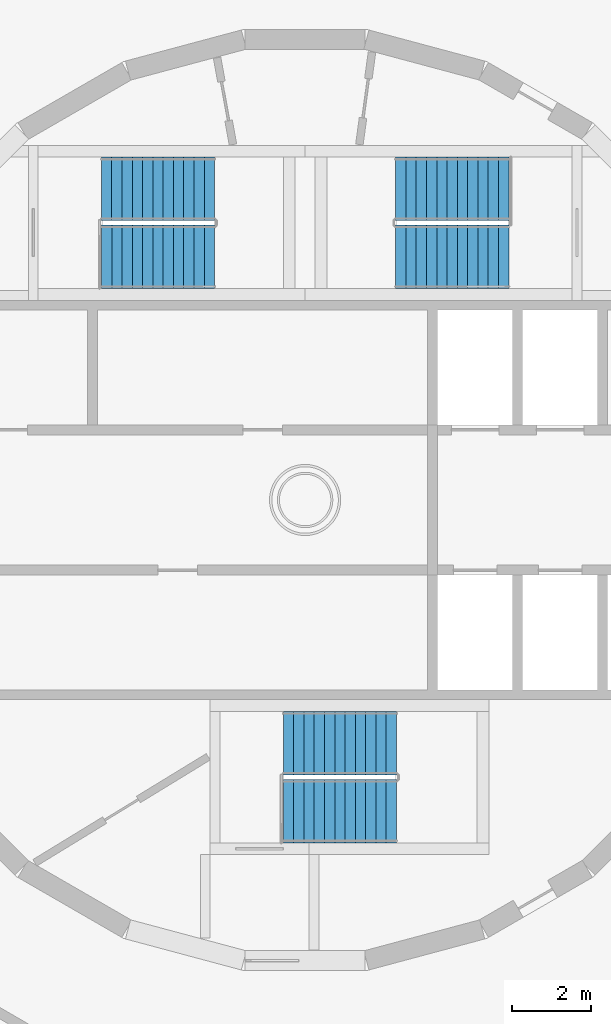
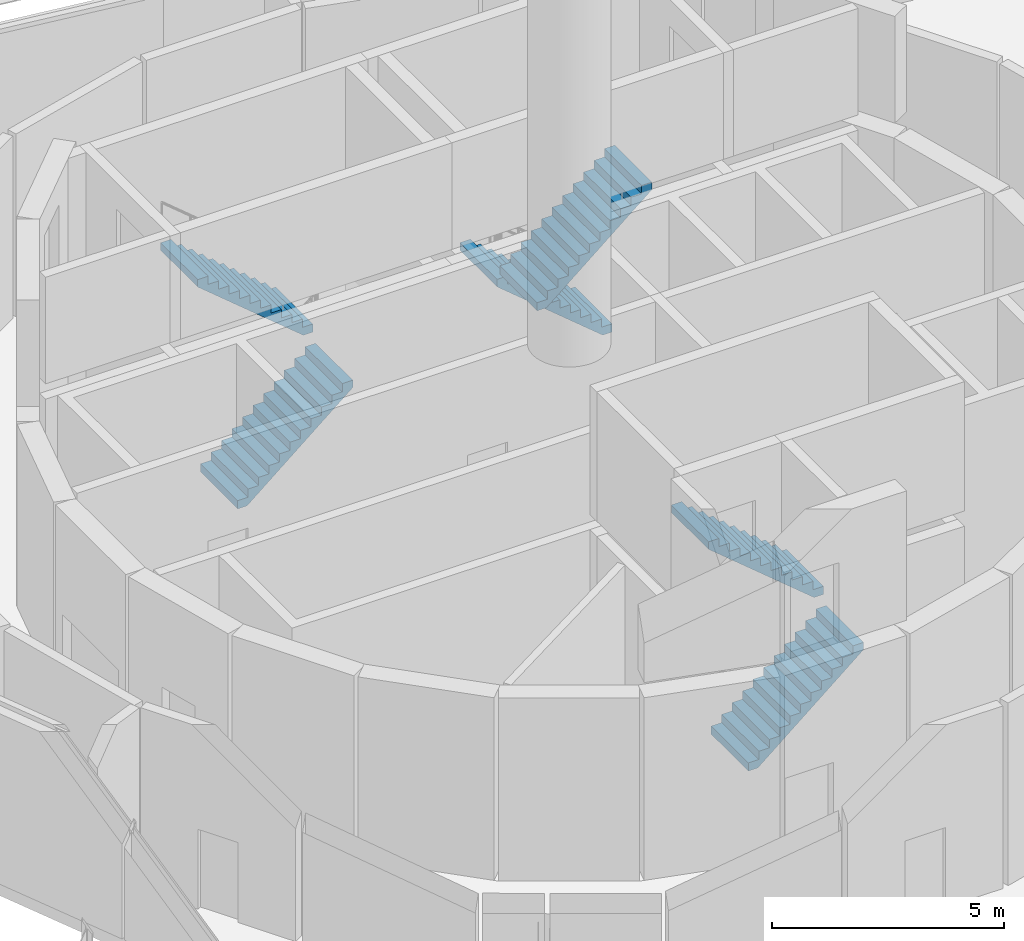
# One storey, part 13 of 15: 6 stair flights, 3 elements without a shape of their own.
"""IFC4 building model written with IfcOpenShell, lengths in metres."""

from ifc_helpers import new_model, si_unit, direction, frame, origin, place, context, subcontext, project, spatial, polyline, outline, extrude, material, type_object, element, aggregate, save


model = new_model("IFC4")

# Units and contexts
model_context = context("Model", 3, precision=1e-05, world=origin(), true_north=direction((0.0, 1.0)))
body_context = subcontext(model_context, "Body", "Model", "MODEL_VIEW")
ifc_project = project(units=[si_unit("LENGTHUNIT", "METRE"), si_unit("AREAUNIT", "SQUARE_METRE"), si_unit("VOLUMEUNIT", "CUBIC_METRE"), si_unit("PLANEANGLEUNIT", "RADIAN"), si_unit("MASSUNIT", "GRAM", prefix="KILO")], contexts=[model_context])

# Site, building, storey
site_placement = place(None, origin())
site = spatial("IfcSite", under=ifc_project, at=site_placement, CompositionType="ELEMENT")
building_placement = place(site_placement, origin())
building = spatial("IfcBuilding", under=site, at=building_placement, Name="Spindle Arch Residences", CompositionType="ELEMENT")
storey_placement = place(building_placement, frame((0.0, 0.0, 366.199951171875)))
storey = spatial("IfcBuildingStorey", under=building, at=storey_placement, Name="L94", CompositionType="ELEMENT", Elevation=366.199951171875)

# Stair, stair flights
ifc_material_1 = material(Name="Concrete C50/60", Category="concrete")
stair_type = type_object("IfcStairType", Name="Exit stair 24 risers", PredefinedType="HALF_TURN_STAIR", material=ifc_material_1)
stair_1_placement = place(storey_placement, origin())
stair_1 = element("IfcStair", 1, at=stair_1_placement, inside=storey, type_object=stair_type, Name="L94 Exit stair ST1", PredefinedType="HALF_TURN_STAIR")
ifc_material_2 = material(Name="Concrete C50/60", Category="concrete")
stair_flight_type = type_object("IfcStairFlightType", Name="Exit stair flight", PredefinedType="STRAIGHT", material=ifc_material_2)
stair_flight_1_placement = place(storey_placement, frame((5.14990234375, 7.8701171875, 0.0), z_axis=(0.0, 0.0, 1.0), x_axis=(-1.0, 0.0, 0.0)))
stair_flight_1 = element("IfcStairFlight", 2, at=stair_flight_1_placement, type_object=stair_flight_type, Name="ST1 flight 1", NumberOfRisers=12, NumberOfTreads=11, PredefinedType="STRAIGHT", RiserHeight=0.216666667, TreadLength=0.26, context=body_context, shape_type="SweptSolid", body=[
    extrude(outline(polyline([(0.0, 0.0), (0.0, 0.216552734375), (0.260009765625, 0.216552734375), (0.260009765625, 0.433349609375), (0.52001953125, 0.433349609375), (0.52001953125, 0.64990234375), (0.780029296875, 0.64990234375), (0.780029296875, 0.86669921875), (1.0400390625, 0.86669921875), (1.0400390625, 1.083251953125), (1.300048828125, 1.083251953125), (1.300048828125, 1.300048828125), (1.56005859375, 1.300048828125), (1.56005859375, 1.5166015625), (1.820068359375, 1.5166015625), (1.820068359375, 1.7333984375), (2.080078125, 1.7333984375), (2.080078125, 1.949951171875), (2.340087890625, 1.949951171875), (2.340087890625, 2.166748046875), (2.60009765625, 2.166748046875), (2.60009765625, 2.38330078125), (2.860107421875, 2.38330078125), (2.860107421875, 2.60009765625), (2.860107421875, 2.188232421875), (0.234130859375, 0.0), (0.0, 0.0)])), frame((0.0, 0.800048828125, 0.0), z_axis=(0.0, -1.0, 0.0), x_axis=(1.0, 0.0, 0.0)), (0.0, 0.0, 1.0), 1.60009765625),
])
stair_flight_2_placement = place(storey_placement, frame((2.2900390625, 6.14990234375, 2.60009765625), z_axis=(0.0, 0.0, 1.0), x_axis=(1.0, 0.0, 0.0)))
stair_flight_2 = element("IfcStairFlight", 3, at=stair_flight_2_placement, type_object=stair_flight_type, Name="ST1 flight 2", NumberOfRisers=12, NumberOfTreads=11, PredefinedType="STRAIGHT", RiserHeight=0.216666667, TreadLength=0.26, context=body_context, shape_type="SweptSolid", body=[
    extrude(outline(polyline([(0.0, 0.0), (0.0, 0.216552734375), (0.260009765625, 0.216552734375), (0.260009765625, 0.433349609375), (0.52001953125, 0.433349609375), (0.52001953125, 0.64990234375), (0.780029296875, 0.64990234375), (0.780029296875, 0.86669921875), (1.0400390625, 0.86669921875), (1.0400390625, 1.083251953125), (1.300048828125, 1.083251953125), (1.300048828125, 1.300048828125), (1.56005859375, 1.300048828125), (1.56005859375, 1.5166015625), (1.820068359375, 1.5166015625), (1.820068359375, 1.7333984375), (2.080078125, 1.7333984375), (2.080078125, 1.949951171875), (2.340087890625, 1.949951171875), (2.340087890625, 2.166748046875), (2.60009765625, 2.166748046875), (2.60009765625, 2.38330078125), (2.860107421875, 2.38330078125), (2.860107421875, 2.60009765625), (2.860107421875, 2.188232421875), (0.234130859375, 0.0), (0.0, 0.0)])), frame((0.0, 0.800048828125, 0.0), z_axis=(0.0, -1.0, 0.0), x_axis=(1.0, 0.0, 0.0)), (0.0, 0.0, 1.0), 1.60009765625),
])
aggregate(stair_1, [stair_flight_1, stair_flight_2])

stair_2_placement = place(storey_placement, origin())
stair_2 = element("IfcStair", 4, at=stair_2_placement, inside=storey, type_object=stair_type, Name="L94 Exit stair ST2", PredefinedType="HALF_TURN_STAIR")
stair_flight_3_placement = place(storey_placement, frame((-5.14990234375, 6.14990234375, 0.0), z_axis=(0.0, 0.0, 1.0), x_axis=(1.0, 0.0, 0.0)))
stair_flight_3 = element("IfcStairFlight", 5, at=stair_flight_3_placement, type_object=stair_flight_type, Name="ST2 flight 1", NumberOfRisers=12, NumberOfTreads=11, PredefinedType="STRAIGHT", RiserHeight=0.216666667, TreadLength=0.26, context=body_context, shape_type="SweptSolid", body=[
    extrude(outline(polyline([(0.0, 0.0), (0.0, 0.216552734375), (0.260009765625, 0.216552734375), (0.260009765625, 0.433349609375), (0.52001953125, 0.433349609375), (0.52001953125, 0.64990234375), (0.780029296875, 0.64990234375), (0.780029296875, 0.86669921875), (1.0400390625, 0.86669921875), (1.0400390625, 1.083251953125), (1.300048828125, 1.083251953125), (1.300048828125, 1.300048828125), (1.56005859375, 1.300048828125), (1.56005859375, 1.5166015625), (1.820068359375, 1.5166015625), (1.820068359375, 1.7333984375), (2.080078125, 1.7333984375), (2.080078125, 1.949951171875), (2.340087890625, 1.949951171875), (2.340087890625, 2.166748046875), (2.60009765625, 2.166748046875), (2.60009765625, 2.38330078125), (2.860107421875, 2.38330078125), (2.860107421875, 2.60009765625), (2.860107421875, 2.188232421875), (0.234130859375, 0.0), (0.0, 0.0)])), frame((0.0, 0.800048828125, 0.0), z_axis=(0.0, -1.0, 0.0), x_axis=(1.0, 0.0, 0.0)), (0.0, 0.0, 1.0), 1.60009765625),
])
stair_flight_4_placement = place(storey_placement, frame((-2.2900390625, 7.8701171875, 2.60009765625), z_axis=(0.0, 0.0, 1.0), x_axis=(-1.0, 0.0, 0.0)))
stair_flight_4 = element("IfcStairFlight", 6, at=stair_flight_4_placement, type_object=stair_flight_type, Name="ST2 flight 2", NumberOfRisers=12, NumberOfTreads=11, PredefinedType="STRAIGHT", RiserHeight=0.216666667, TreadLength=0.26, context=body_context, shape_type="SweptSolid", body=[
    extrude(outline(polyline([(0.0, 0.0), (0.0, 0.216552734375), (0.260009765625, 0.216552734375), (0.260009765625, 0.433349609375), (0.52001953125, 0.433349609375), (0.52001953125, 0.64990234375), (0.780029296875, 0.64990234375), (0.780029296875, 0.86669921875), (1.0400390625, 0.86669921875), (1.0400390625, 1.083251953125), (1.300048828125, 1.083251953125), (1.300048828125, 1.300048828125), (1.56005859375, 1.300048828125), (1.56005859375, 1.5166015625), (1.820068359375, 1.5166015625), (1.820068359375, 1.7333984375), (2.080078125, 1.7333984375), (2.080078125, 1.949951171875), (2.340087890625, 1.949951171875), (2.340087890625, 2.166748046875), (2.60009765625, 2.166748046875), (2.60009765625, 2.38330078125), (2.860107421875, 2.38330078125), (2.860107421875, 2.60009765625), (2.860107421875, 2.188232421875), (0.234130859375, 0.0), (0.0, 0.0)])), frame((0.0, 0.800048828125, 0.0), z_axis=(0.0, -1.0, 0.0), x_axis=(1.0, 0.0, 0.0)), (0.0, 0.0, 1.0), 1.60009765625),
])
aggregate(stair_2, [stair_flight_3, stair_flight_4])

stair_3_placement = place(storey_placement, origin())
stair_3 = element("IfcStair", 7, at=stair_3_placement, inside=storey, type_object=stair_type, Name="L94 Exit stair ST3", PredefinedType="HALF_TURN_STAIR")
stair_flight_5_placement = place(storey_placement, frame((-0.550048828125, -7.8701171875, 0.0), z_axis=(0.0, 0.0, 1.0), x_axis=(1.0, 0.0, 0.0)))
stair_flight_5 = element("IfcStairFlight", 8, at=stair_flight_5_placement, type_object=stair_flight_type, Name="ST3 flight 1", NumberOfRisers=12, NumberOfTreads=11, PredefinedType="STRAIGHT", RiserHeight=0.216666667, TreadLength=0.26, context=body_context, shape_type="SweptSolid", body=[
    extrude(outline(polyline([(0.0, 0.0), (0.0, 0.216552734375), (0.260009765625, 0.216552734375), (0.260009765625, 0.433349609375), (0.52001953125, 0.433349609375), (0.52001953125, 0.64990234375), (0.780029296875, 0.64990234375), (0.780029296875, 0.86669921875), (1.0400390625, 0.86669921875), (1.0400390625, 1.083251953125), (1.300048828125, 1.083251953125), (1.300048828125, 1.300048828125), (1.56005859375, 1.300048828125), (1.56005859375, 1.5166015625), (1.820068359375, 1.5166015625), (1.820068359375, 1.7333984375), (2.080078125, 1.7333984375), (2.080078125, 1.949951171875), (2.340087890625, 1.949951171875), (2.340087890625, 2.166748046875), (2.60009765625, 2.166748046875), (2.60009765625, 2.38330078125), (2.860107421875, 2.38330078125), (2.860107421875, 2.60009765625), (2.860107421875, 2.188232421875), (0.234130859375, 0.0), (0.0, 0.0)])), frame((0.0, 0.800048828125, 0.0), z_axis=(0.0, -1.0, 0.0), x_axis=(1.0, 0.0, 0.0)), (0.0, 0.0, 1.0), 1.60009765625),
])
stair_flight_6_placement = place(storey_placement, frame((2.31005859375, -6.14990234375, 2.60009765625), z_axis=(0.0, 0.0, 1.0), x_axis=(-1.0, 0.0, 0.0)))
stair_flight_6 = element("IfcStairFlight", 9, at=stair_flight_6_placement, type_object=stair_flight_type, Name="ST3 flight 2", NumberOfRisers=12, NumberOfTreads=11, PredefinedType="STRAIGHT", RiserHeight=0.216666667, TreadLength=0.26, context=body_context, shape_type="SweptSolid", body=[
    extrude(outline(polyline([(0.0, 0.0), (0.0, 0.216552734375), (0.260009765625, 0.216552734375), (0.260009765625, 0.433349609375), (0.52001953125, 0.433349609375), (0.52001953125, 0.64990234375), (0.780029296875, 0.64990234375), (0.780029296875, 0.86669921875), (1.0400390625, 0.86669921875), (1.0400390625, 1.083251953125), (1.300048828125, 1.083251953125), (1.300048828125, 1.300048828125), (1.56005859375, 1.300048828125), (1.56005859375, 1.5166015625), (1.820068359375, 1.5166015625), (1.820068359375, 1.7333984375), (2.080078125, 1.7333984375), (2.080078125, 1.949951171875), (2.340087890625, 1.949951171875), (2.340087890625, 2.166748046875), (2.60009765625, 2.166748046875), (2.60009765625, 2.38330078125), (2.860107421875, 2.38330078125), (2.860107421875, 2.60009765625), (2.860107421875, 2.188232421875), (0.234130859375, 0.0), (0.0, 0.0)])), frame((0.0, 0.800048828125, 0.0), z_axis=(0.0, -1.0, 0.0), x_axis=(1.0, 0.0, 0.0)), (0.0, 0.0, 1.0), 1.60009765625),
])
aggregate(stair_3, [stair_flight_5, stair_flight_6])

save(model, "model.ifc")
